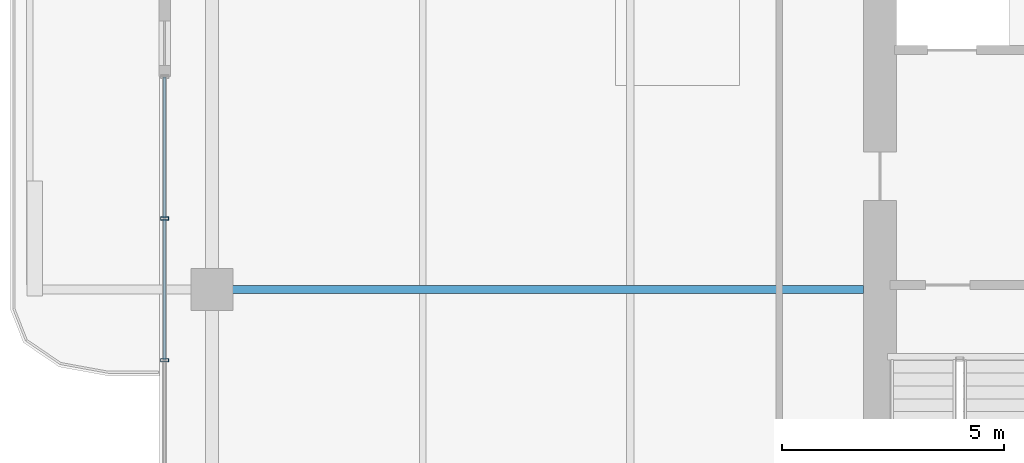
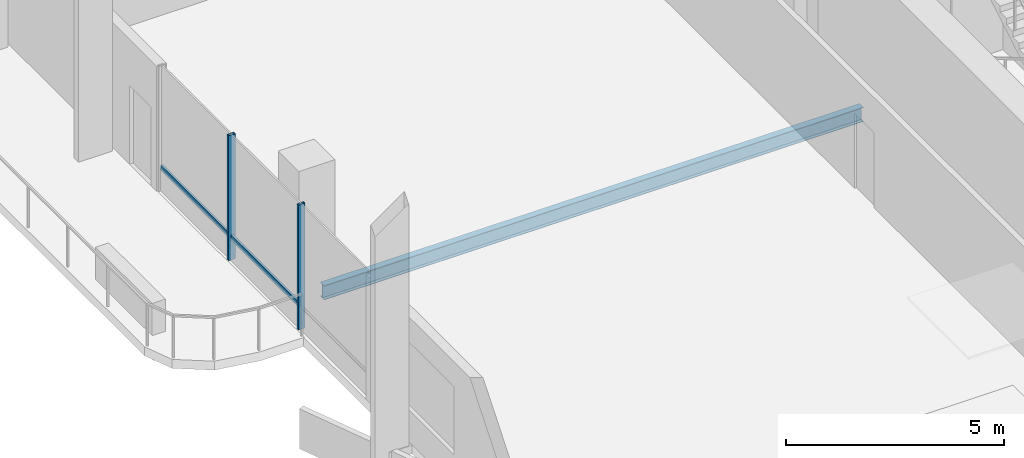
# One storey, part 6 of 25: 4 members, 1 beam, 1 element without a shape of its own.
"""IFC4 building model written with IfcOpenShell, lengths in metres."""

from ifc_helpers import new_model, si_unit, direction, frame, origin, origin_2d, place, context, subcontext, project, spatial, hollow_rectangle, i_section, extrude, material, layer, layer_set, material_profile, profile_set, type_object, element, aggregate, save


model = new_model("IFC4")

# Units and contexts
model_context = context("Model", 3, precision=1e-05, world=origin(), true_north=direction((0.0, 1.0)))
body_context = subcontext(model_context, "Body", "Model", "MODEL_VIEW")
ifc_project = project(units=[si_unit("LENGTHUNIT", "METRE"), si_unit("AREAUNIT", "SQUARE_METRE"), si_unit("VOLUMEUNIT", "CUBIC_METRE"), si_unit("PLANEANGLEUNIT", "RADIAN"), si_unit("MASSUNIT", "GRAM", prefix="KILO")], contexts=[model_context])

# Site, building, storey
site_placement = place(None, origin())
site = spatial("IfcSite", under=ifc_project, at=site_placement, CompositionType="ELEMENT")
building_placement = place(site_placement, origin())
building = spatial("IfcBuilding", under=site, at=building_placement, Name="Belovzor Exchange Tower", CompositionType="ELEMENT")
storey_placement = place(building_placement, frame((0.0, 0.0, 265.35009765625)))
storey = spatial("IfcBuildingStorey", under=building, at=storey_placement, Name="L66", CompositionType="ELEMENT", Elevation=265.35009765625)

# Curtain wall, members
ifc_material_1 = material(Name="Anodised Aluminium Framing", Category="aluminium")
ifc_layer = layer(ifc_material_1, 0.179931640625)
ifc_layer_set = layer_set([ifc_layer], Name="Anodised Aluminium Framing")
curtain_wall_type = type_object("IfcCurtainWallType", Name="Recessed Loggia Low-Iron Triple-Glazed Curtain Wall", PredefinedType="NOTDEFINED", material=ifc_layer_set)
curtain_wall_placement = place(storey_placement, origin())
curtain_wall = element("IfcCurtainWall", 1, at=curtain_wall_placement, inside=storey, type_object=curtain_wall_type, Name="CW3 Recessed Loggia Low-Iron Triple-Glazed Curtain Wall L66", PredefinedType="NOTDEFINED")
ifc_material_2 = material(Name="Steel S355", Category="steel")
ifc_material_profile_1 = material_profile(ifc_material_2, hollow_rectangle(XDim=0.074951171875, YDim=0.179931640625, WallThickness=0.0048828125, at=origin_2d()))
ifc_profile_set_1 = profile_set([ifc_material_profile_1], Name="Steel S355")
member_type_1 = type_object("IfcMemberType", Name="Thermally Broken Curtain Wall Mullion 180x75", PredefinedType="MULLION", material=ifc_profile_set_1)
member_1_placement = place(storey_placement, frame((4.030029296875, 27.199951171875, 0.0), z_axis=(0.0, 0.0, 1.0), x_axis=(0.0, 1.0, 0.0)))
member_1 = element("IfcMember", 2, at=member_1_placement, type_object=member_type_1, Name="CW-M180 Curtain Wall Mullion 2", PredefinedType="MULLION", context=body_context, shape_type="SweptSolid", body=[
    extrude(hollow_rectangle(XDim=0.074951171875, YDim=0.179931640625, WallThickness=0.0048828125, at=origin_2d()), origin(), (0.0, 0.0, 1.0), 3.5),
])
member_2_placement = place(storey_placement, frame((4.030029296875, 30.39990234375, 0.0), z_axis=(0.0, 0.0, 1.0), x_axis=(0.0, 1.0, 0.0)))
member_2 = element("IfcMember", 3, at=member_2_placement, type_object=member_type_1, Name="CW-M180 Curtain Wall Mullion 3", PredefinedType="MULLION", context=body_context, shape_type="SweptSolid", body=[
    extrude(hollow_rectangle(XDim=0.074951171875, YDim=0.179931640625, WallThickness=0.0048828125, at=origin_2d()), origin(), (0.0, 0.0, 1.0), 3.5),
])
ifc_material_3 = material(Name="Steel S355", Category="steel")
ifc_material_profile_2 = material_profile(ifc_material_3, hollow_rectangle(XDim=0.06005859375, YDim=0.14990234375, WallThickness=0.00390625, at=origin_2d()))
ifc_profile_set_2 = profile_set([ifc_material_profile_2], Name="Steel S355")
member_type_2 = type_object("IfcMemberType", Name="Thermally Broken Curtain Wall Transom 150x60", PredefinedType="USERDEFINED", material=ifc_profile_set_2)
member_3_placement = place(storey_placement, frame((4.030029296875, 27.2080078125, 0.6298828125), z_axis=(0.0, 1.0, 0.0), x_axis=(-1.0, 0.0, 0.0)))
member_3 = element("IfcMember", 4, at=member_3_placement, type_object=member_type_2, Name="CW-T150 Curtain Wall Transom 2", ObjectType="TRANSOM", PredefinedType="USERDEFINED", context=body_context, shape_type="SweptSolid", body=[
    extrude(hollow_rectangle(XDim=0.06005859375, YDim=0.14990234375, WallThickness=0.00390625, at=origin_2d()), origin(), (0.0, 0.0, 1.0), 3.18408203125),
])
member_4_placement = place(storey_placement, frame((4.030029296875, 30.407958984375, 0.6298828125), z_axis=(0.0, 1.0, 0.0), x_axis=(-1.0, 0.0, 0.0)))
member_4 = element("IfcMember", 5, at=member_4_placement, type_object=member_type_2, Name="CW-T150 Curtain Wall Transom 3", ObjectType="TRANSOM", PredefinedType="USERDEFINED", context=body_context, shape_type="SweptSolid", body=[
    extrude(hollow_rectangle(XDim=0.06005859375, YDim=0.14990234375, WallThickness=0.00390625, at=origin_2d()), origin(), (0.0, 0.0, 1.0), 3.18408203125),
])
aggregate(curtain_wall, [member_1, member_2, member_3, member_4])

# Beam
ifc_material_4 = material(Name="Steel S355", Category="steel")
ifc_material_profile_3 = material_profile(ifc_material_4, i_section(OverallWidth=0.179931640625, OverallDepth=0.39990234375, WebThickness=0.008544921875, FlangeThickness=0.013427734375, at=origin_2d()))
ifc_profile_set_3 = profile_set([ifc_material_profile_3], Name="Steel S355")
beam_type = type_object("IfcBeamType", Name="Zone 5-6 Radial Composite Floor Beam IPE 400", PredefinedType="BEAM", material=ifc_profile_set_3)
beam_placement = place(storey_placement, frame((19.800048828125, 28.800048828125, -0.4501953125), z_axis=(-1.0, 0.0, 0.0), x_axis=(0.0, -1.0, 0.0)))
element("IfcBeam", 6, at=beam_placement, inside=storey, type_object=beam_type, Name="FB-400 Zone 5-6 Radial Composite Floor Beam IPE 400", PredefinedType="BEAM", context=body_context, shape_type="SweptSolid", body=[
    extrude(i_section(OverallWidth=0.179931640625, OverallDepth=0.39990234375, WebThickness=0.008544921875, FlangeThickness=0.013427734375, at=origin_2d()), origin(), (0.0, 0.0, 1.0), 14.281982421875),
])

save(model, "model.ifc")
